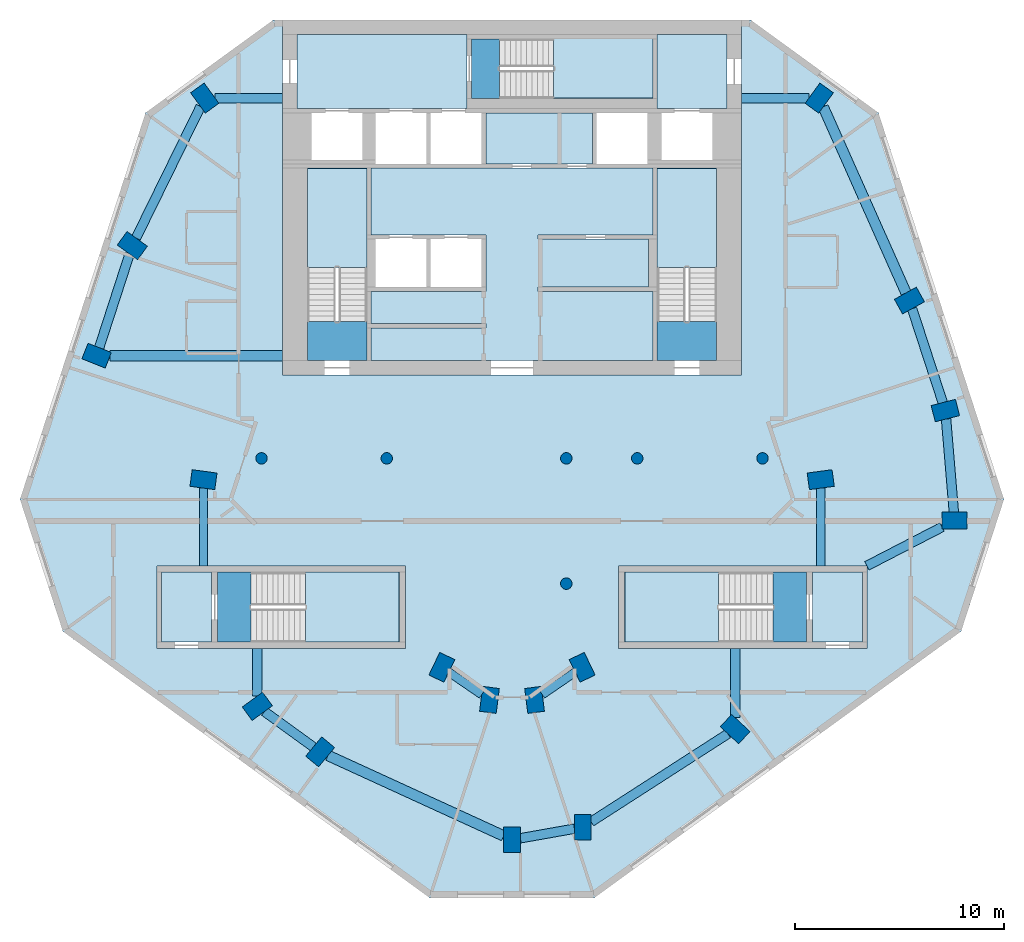
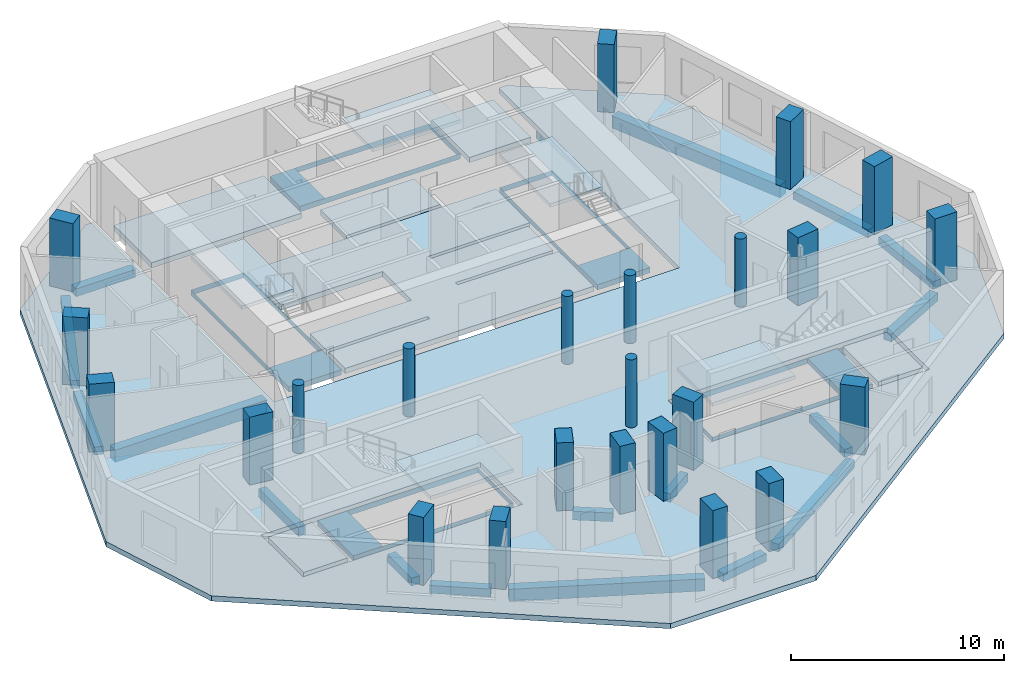
# One storey, part 1 of 8: 24 columns, 19 beams, 17 slabs, 5 elements without a shape of their own.
"""IFC4 building model written with IfcOpenShell, lengths in metres."""

from ifc_helpers import new_model, si_unit, direction, frame, origin, origin_2d, place, context, subcontext, project, spatial, polyline, rectangle, circle, outline, extrude, material, layer, layer_set, material_profile, profile_set, type_object, element, aggregate, save


model = new_model("IFC4")

# Units and contexts
model_context = context("Model", 3, precision=1e-05, world=origin(), true_north=direction((0.0, 1.0)))
body_context = subcontext(model_context, "Body", "Model", "MODEL_VIEW")
ifc_project = project(units=[si_unit("LENGTHUNIT", "METRE"), si_unit("AREAUNIT", "SQUARE_METRE"), si_unit("VOLUMEUNIT", "CUBIC_METRE"), si_unit("PLANEANGLEUNIT", "RADIAN"), si_unit("MASSUNIT", "GRAM", prefix="KILO")], contexts=[model_context])

# Site, building, storey
site_placement = place(None, origin())
site = spatial("IfcSite", under=ifc_project, at=site_placement, CompositionType="ELEMENT")
building_placement = place(site_placement, origin())
building = spatial("IfcBuilding", under=site, at=building_placement, Name="White Candle Pilgrim Tower", CompositionType="ELEMENT")
storey_placement = place(building_placement, frame((0.0, 0.0, 263.89990234375)))
storey = spatial("IfcBuildingStorey", under=building, at=storey_placement, Name="L62", CompositionType="ELEMENT", Elevation=263.89990234375)

# Columns
ifc_material_1 = material(Name="Concrete C60/75", Category="concrete")
ifc_material_profile_1 = material_profile(ifc_material_1, circle(Radius=0.27490234375, at=origin_2d()), Name="RC-COL D550")
ifc_profile_set_1 = profile_set([ifc_material_profile_1], Name="Concrete C60/75")
column_type_1 = type_object("IfcColumnType", Name="Interior column RC-COL D550 C60/75", PredefinedType="COLUMN", material=ifc_profile_set_1)
for number, where, z_axis, x_axis, name in (
    (1, (58.0, 67.0, 0.0), (0.0, 0.0, 1.0), (1.0, 0.0, 0.0), "L62 column I01"),
    (2, (64.0, 67.0, 0.0), (0.0, 0.0, 1.0), (1.0, 0.0, 0.0), "L62 column I02"),
    (3, (72.60009765625, 61.0, 0.0), (0.0, 0.0, 1.0), (1.0, 0.0, 0.0), "L62 column I03"),
    (4, (72.60009765625, 67.0, 0.0), (0.0, 0.0, 1.0), (1.0, 0.0, 0.0), "L62 column I04"),
    (5, (76.0, 67.0, 0.0), (0.0, 0.0, 1.0), (1.0, 0.0, 0.0), "L62 column I05"),
    (6, (82.0, 67.0, 0.0), (0.0, 0.0, 1.0), (1.0, 0.0, 0.0), "L62 column I06"),
):
    element("IfcColumn", number, at=place(storey_placement, frame(where, z_axis=z_axis, x_axis=x_axis)), inside=storey, type_object=column_type_1, Name=name, PredefinedType="COLUMN", context=body_context, shape_type="SweptSolid", body=[
        extrude(circle(Radius=0.27490234375, at=origin_2d()), origin(), (0.0, 0.0, 1.0), 3.900146484375),
    ])
ifc_material_profile_2 = material_profile(ifc_material_1, rectangle(XDim=0.800048828125, YDim=1.199951171875, at=origin_2d()), Name="RC-PR 800x1200")
ifc_profile_set_2 = profile_set([ifc_material_profile_2], Name="Concrete C60/75")
column_type_2 = type_object("IfcColumnType", Name="Perimeter column RC-PR 800x1200 C60/75", PredefinedType="COLUMN", material=ifc_profile_set_2)
for number, where, z_axis, x_axis, name in (
    (7, (57.800048828125, 55.1201171875, 0.0), (0.0, 0.0, 1.0), (-0.58846280644, 0.808524288711, 0.0), "L62 column T01"),
    (8, (60.81005859375, 52.93994140625, 0.0), (0.0, 0.0, 1.0), (-0.769310358735, 0.638875239733, 0.0), "L62 column T02"),
    (9, (70.0, 48.72998046875, 0.0), (0.0, 0.0, 1.0), (-1.0, 0.0, 0.0), "L62 column T03"),
    (10, (73.389892578125, 49.330078125, 0.0), (0.0, 0.0, 1.0), (-1.0, 0.0, 0.0), "L62 column T04"),
    (11, (80.68994140625, 54.030029296875, 0.0), (0.0, 0.0, 1.0), (-0.681998360062, -0.731353701619, 0.0), "L62 column T05"),
    (12, (91.199951171875, 64.02001953125, 0.0), (0.0, 0.0, 1.0), (0.000855211229, -0.999999634307, 0.0), "L62 column T06"),
    (13, (90.760009765625, 69.2900390625, 0.0), (0.0, 0.0, 1.0), (0.246880623275, -0.969045900797, 0.0), "L62 column T07"),
    (14, (89.0400390625, 74.56005859375, 0.0), (0.0, 0.0, 1.0), (0.484809620246, -0.874619707139, 0.0), "L62 column T08"),
    (15, (84.719970703125, 84.260009765625, 0.0), (0.0, 0.0, 1.0), (0.80902725304, -0.587771132193, 0.0), "L62 column T09"),
    (16, (55.280029296875, 84.260009765625, 0.0), (0.0, 0.0, 1.0), (0.80902725304, 0.587771132193, 0.0), "L62 column T10"),
    (17, (51.81005859375, 77.18994140625, 0.0), (0.0, 0.0, 1.0), (0.587107285614, 0.809509132239, 0.0), "L62 column T11"),
    (18, (50.10009765625, 71.919921875, 0.0), (0.0, 0.0, 1.0), (0.369860269472, 0.929087391512, 0.0), "L62 column T12"),
):
    element("IfcColumn", number, at=place(storey_placement, frame(where, z_axis=z_axis, x_axis=x_axis)), inside=storey, type_object=column_type_2, Name=name, PredefinedType="COLUMN", context=body_context, shape_type="SweptSolid", body=[
        extrude(rectangle(XDim=0.800048828125, YDim=1.199951171875, at=origin_2d()), origin(), (0.0, 0.0, 1.0), 3.900146484375),
    ])
ifc_material_profile_3 = material_profile(ifc_material_1, rectangle(XDim=0.800048828125, YDim=1.199951171875, at=origin_2d()), Name="RC-PR 800x1200")
ifc_profile_set_3 = profile_set([ifc_material_profile_3], Name="Concrete C60/75")
column_type_3 = type_object("IfcColumnType", Name="Ring column RC-PR 800x1200 C60/75", PredefinedType="COLUMN", material=ifc_profile_set_3)
for number, where, z_axis, x_axis, name in (
    (19, (66.639892578125, 56.989990234375, 0.0), (0.0, 0.0, 1.0), (-0.901689191761, 0.43238478403, 0.0), "L62 column R01"),
    (20, (68.919921875, 55.429931640625, 0.0), (0.0, 0.0, 1.0), (-0.992092811428, 0.125506388335, 0.0), "L62 column R02"),
    (21, (71.080078125, 55.429931640625, 0.0), (0.0, 0.0, 1.0), (-0.992092811428, -0.125506388335, 0.0), "L62 column R03"),
    (22, (73.360107421875, 56.989990234375, 0.0), (0.0, 0.0, 1.0), (-0.901689191761, -0.43238478403, 0.0), "L62 column R04"),
    (23, (84.7900390625, 65.97998046875, 0.0), (0.0, 0.0, 1.0), (0.132602381688, -0.991169313675, 0.0), "L62 column R05"),
    (24, (55.219970703125, 65.97998046875, 0.0), (0.0, 0.0, 1.0), (0.132602381688, 0.991169313675, 0.0), "L62 column R06"),
):
    element("IfcColumn", number, at=place(storey_placement, frame(where, z_axis=z_axis, x_axis=x_axis)), inside=storey, type_object=column_type_3, Name=name, PredefinedType="COLUMN", context=body_context, shape_type="SweptSolid", body=[
        extrude(rectangle(XDim=0.800048828125, YDim=1.199951171875, at=origin_2d()), origin(), (0.0, 0.0, 1.0), 3.900146484375),
    ])

# Beams
ifc_material_2 = material(Name="Concrete C50/60", Category="concrete")
ifc_material_profile_4 = material_profile(ifc_material_2, rectangle(XDim=0.39990234375, YDim=0.5, at=origin_2d()), Name="RC-BM 400x500")
ifc_profile_set_4 = profile_set([ifc_material_profile_4], Name="Concrete C50/60")
beam_type_1 = type_object("IfcBeamType", Name="Ring beam RC-BM 400x500 C50/60", PredefinedType="BEAM", material=ifc_profile_set_4)
for number, where, z_axis, x_axis, name in (
    (25, (66.97412109375, 56.761474609375, -0.5498046875), (0.825257044892, -0.564757301729, 0.0), (0.564757301729, 0.825257044892, 0.0), "L62 ring beam R01"),
    (26, (71.451171875, 55.683837890625, -0.5498046875), (0.825257044892, 0.564757301729, 0.0), (-0.564757301729, 0.825257044892, 0.0), "L62 ring beam R02"),
):
    element("IfcBeam", number, at=place(storey_placement, frame(where, z_axis=z_axis, x_axis=x_axis)), inside=storey, type_object=beam_type_1, Name=name, PredefinedType="BEAM", context=body_context, shape_type="SweptSolid", body=[
        extrude(rectangle(XDim=0.39990234375, YDim=0.5, at=origin_2d()), origin(), (0.0, 0.0, 1.0), 1.908203125),
    ])
for number, where, z_axis, x_axis, name in (
    (27, (84.7900390625, 65.576416015625, -0.5498046875), (0.0, -1.0, 0.0), (1.0, 0.0, 0.0), "L62 ring beam R03"),
    (28, (55.219970703125, 65.576416015625, -0.5498046875), (0.0, -1.0, 0.0), (1.0, 0.0, 0.0), "L62 ring beam R04"),
):
    element("IfcBeam", number, at=place(storey_placement, frame(where, z_axis=z_axis, x_axis=x_axis)), inside=storey, type_object=beam_type_1, Name=name, PredefinedType="BEAM", context=body_context, shape_type="SweptSolid", body=[
        extrude(rectangle(XDim=0.39990234375, YDim=0.5, at=origin_2d()), origin(), (0.0, 0.0, 1.0), 3.726318359375),
    ])
ifc_material_profile_5 = material_profile(ifc_material_2, rectangle(XDim=0.449951171875, YDim=0.449951171875, at=origin_2d()), Name="RC-BM 450x450")
ifc_profile_set_5 = profile_set([ifc_material_profile_5], Name="Concrete C50/60")
beam_type_2 = type_object("IfcBeamType", Name="Spandrel beam RC-BM 450x450 C50/60", PredefinedType="BEAM", material=ifc_profile_set_5)
beam_1_placement = place(storey_placement, frame((58.140625, 54.873291015625, -0.52490234375), z_axis=(0.809886863982, -0.586586112647, 0.0), x_axis=(0.586586112647, 0.809886863982, 0.0)))
element("IfcBeam", 29, at=beam_1_placement, inside=storey, type_object=beam_type_2, Name="L62 spandrel beam T01", PredefinedType="BEAM", context=body_context, shape_type="SweptSolid", body=[
    extrude(rectangle(XDim=0.449951171875, YDim=0.449951171875, at=origin_2d()), origin(), (0.0, 0.0, 1.0), 2.89501953125),
])
beam_2_placement = place(storey_placement, frame((70.39990234375, 48.80078125, -0.52490234375), z_axis=(0.984690914207, 0.174309504843, 0.0), x_axis=(-0.174309504843, 0.984690914207, 0.0)))
element("IfcBeam", 30, at=beam_2_placement, inside=storey, type_object=beam_type_2, Name="L62 spandrel beam T03", PredefinedType="BEAM", context=body_context, shape_type="SweptSolid", body=[
    extrude(rectangle(XDim=0.449951171875, YDim=0.449951171875, at=origin_2d()), origin(), (0.0, 0.0, 1.0), 2.63037109375),
])
beam_3_placement = place(storey_placement, frame((73.7900390625, 49.58740234375, -0.52490234375), z_axis=(0.840792523654, 0.541357490175, 0.0), x_axis=(-0.541357490175, 0.840792523654, 0.0)))
element("IfcBeam", 31, at=beam_3_placement, inside=storey, type_object=beam_type_2, Name="L62 spandrel beam T04", PredefinedType="BEAM", context=body_context, shape_type="SweptSolid", body=[
    extrude(rectangle(XDim=0.449951171875, YDim=0.449951171875, at=origin_2d()), origin(), (0.0, 0.0, 1.0), 7.793701171875),
])
beam_4_placement = place(storey_placement, frame((80.68994140625, 54.576904296875, -0.52490234375), z_axis=(0.0, 1.0, 0.0), x_axis=(-1.0, 0.0, 0.0)))
element("IfcBeam", 32, at=beam_4_placement, inside=storey, type_object=beam_type_2, Name="L62 spandrel beam T05", PredefinedType="BEAM", context=body_context, shape_type="SweptSolid", body=[
    extrude(rectangle(XDim=0.449951171875, YDim=0.449951171875, at=origin_2d()), origin(), (0.0, 0.0, 1.0), 3.322998046875),
])
beam_5_placement = place(storey_placement, frame((90.600341796875, 63.710205078125, -0.52490234375), z_axis=(-0.888432867753, -0.459006578925, 0.0), x_axis=(0.459006578925, -0.888432867753, 0.0)))
element("IfcBeam", 33, at=beam_5_placement, inside=storey, type_object=beam_type_2, Name="L62 spandrel beam T06", PredefinedType="BEAM", context=body_context, shape_type="SweptSolid", body=[
    extrude(rectangle(XDim=0.449951171875, YDim=0.449951171875, at=origin_2d()), origin(), (0.0, 0.0, 1.0), 4.052490234375),
])
beam_6_placement = place(storey_placement, frame((91.16650390625, 64.419921875, -0.52490234375), z_axis=(-0.083189754962, 0.996533724803, 0.0), x_axis=(-0.996533724803, -0.083189754962, 0.0)))
element("IfcBeam", 34, at=beam_6_placement, inside=storey, type_object=beam_type_2, Name="L62 spandrel beam T07", PredefinedType="BEAM", context=body_context, shape_type="SweptSolid", body=[
    extrude(rectangle(XDim=0.449951171875, YDim=0.449951171875, at=origin_2d()), origin(), (0.0, 0.0, 1.0), 4.4814453125),
])
beam_7_placement = place(storey_placement, frame((90.635498046875, 69.671142578125, -0.52490234375), z_axis=(-0.310235376741, 0.950659776691, 0.0), x_axis=(-0.950659776691, -0.310235376741, 0.0)))
element("IfcBeam", 35, at=beam_7_placement, inside=storey, type_object=beam_type_2, Name="L62 spandrel beam T08", PredefinedType="BEAM", context=body_context, shape_type="SweptSolid", body=[
    extrude(rectangle(XDim=0.449951171875, YDim=0.449951171875, at=origin_2d()), origin(), (0.0, 0.0, 1.0), 4.735107421875),
])
for number, where, z_axis, x_axis, name in (
    (36, (84.2255859375, 84.260009765625, -0.52490234375), (-1.0, 0.0, 0.0), (0.0, -1.0, 0.0), "L62 spandrel beam T10"),
    (37, (55.7744140625, 84.260009765625, -0.52490234375), (1.0, 0.0, 0.0), (0.0, 1.0, 0.0), "L62 spandrel beam T11"),
):
    element("IfcBeam", number, at=place(storey_placement, frame(where, z_axis=z_axis, x_axis=x_axis)), inside=storey, type_object=beam_type_2, Name=name, PredefinedType="BEAM", context=body_context, shape_type="SweptSolid", body=[
        extrude(rectangle(XDim=0.449951171875, YDim=0.449951171875, at=origin_2d()), origin(), (0.0, 0.0, 1.0), 3.2255859375),
    ])
beam_8_placement = place(storey_placement, frame((55.080810546875, 83.853759765625, -0.52490234375), z_axis=(-0.440604884501, -0.897701139441, 0.0), x_axis=(0.897701139441, -0.440604884501, 0.0)))
element("IfcBeam", 38, at=beam_8_placement, inside=storey, type_object=beam_type_2, Name="L62 spandrel beam T12", PredefinedType="BEAM", context=body_context, shape_type="SweptSolid", body=[
    extrude(rectangle(XDim=0.449951171875, YDim=0.449951171875, at=origin_2d()), origin(), (0.0, 0.0, 1.0), 7.01708984375),
])
beam_9_placement = place(storey_placement, frame((51.68017578125, 76.7900390625, -0.52490234375), z_axis=(-0.308643859688, -0.95117767419, 0.0), x_axis=(0.95117767419, -0.308643859688, 0.0)))
element("IfcBeam", 39, at=beam_9_placement, inside=storey, type_object=beam_type_2, Name="L62 spandrel beam T13", PredefinedType="BEAM", context=body_context, shape_type="SweptSolid", body=[
    extrude(rectangle(XDim=0.449951171875, YDim=0.449951171875, at=origin_2d()), origin(), (0.0, 0.0, 1.0), 4.71923828125),
])
beam_10_placement = place(storey_placement, frame((57.800048828125, 55.61474609375, -0.52490234375), z_axis=(0.0, 1.0, 0.0), x_axis=(-1.0, 0.0, 0.0)))
element("IfcBeam", 40, at=beam_10_placement, inside=storey, type_object=beam_type_2, Name="L62 spandrel beam T15", PredefinedType="BEAM", context=body_context, shape_type="SweptSolid", body=[
    extrude(rectangle(XDim=0.449951171875, YDim=0.449951171875, at=origin_2d()), origin(), (0.0, 0.0, 1.0), 2.28515625),
])
ifc_material_profile_6 = material_profile(ifc_material_2, rectangle(XDim=0.5, YDim=0.699951171875, at=origin_2d()), Name="RC-BM 500x700")
ifc_profile_set_6 = profile_set([ifc_material_profile_6], Name="Concrete C50/60")
beam_type_3 = type_object("IfcBeamType", Name="Spandrel beam RC-BM 500x700 C50/60", PredefinedType="BEAM", material=ifc_profile_set_6)
beam_11_placement = place(storey_placement, frame((61.186767578125, 52.767578125, -0.64990234375), z_axis=(0.90913101106, -0.416510269656, 0.0), x_axis=(0.416510269656, 0.90913101106, 0.0)))
element("IfcBeam", 41, at=beam_11_placement, inside=storey, type_object=beam_type_3, Name="L62 spandrel beam T02", PredefinedType="BEAM", context=body_context, shape_type="SweptSolid", body=[
    extrude(rectangle(XDim=0.5, YDim=0.699951171875, at=origin_2d()), origin(), (0.0, 0.0, 1.0), 9.254150390625),
])
beam_12_placement = place(storey_placement, frame((88.876708984375, 74.9267578125, -0.64990234375), z_axis=(-0.406834969126, 0.913501673724, 0.0), x_axis=(-0.913501673724, -0.406834969126, 0.0)))
element("IfcBeam", 42, at=beam_12_placement, inside=storey, type_object=beam_type_3, Name="L62 spandrel beam T09", PredefinedType="BEAM", context=body_context, shape_type="SweptSolid", body=[
    extrude(rectangle(XDim=0.5, YDim=0.699951171875, at=origin_2d()), origin(), (0.0, 0.0, 1.0), 9.755126953125),
])
beam_13_placement = place(storey_placement, frame((50.745849609375, 71.919921875, -0.64990234375), z_axis=(1.0, 0.0, 0.0), x_axis=(0.0, 1.0, 0.0)))
element("IfcBeam", 43, at=beam_13_placement, inside=storey, type_object=beam_type_3, Name="L62 spandrel beam T14", PredefinedType="BEAM", context=body_context, shape_type="SweptSolid", body=[
    extrude(rectangle(XDim=0.5, YDim=0.699951171875, at=origin_2d()), origin(), (0.0, 0.0, 1.0), 8.254150390625),
])

# Slabs
ifc_material_3 = material(Name="Concrete C40/50", Category="concrete")
ifc_layer_1 = layer(ifc_material_3, 0.300048828125)
ifc_layer_set_1 = layer_set([ifc_layer_1], Name="Core floor slab 300 mm Concrete C40/50")
slab_type_1 = type_object("IfcSlabType", Name="Core floor slab 300 mm Concrete C40/50", PredefinedType="FLOOR", material=ifc_layer_set_1)
slab_1_placement = place(storey_placement, frame((0.0, 0.0, -0.2998046875)))
element("IfcSlab", 44, at=slab_1_placement, inside=storey, type_object=slab_type_1, Name="CF-L62-01", PredefinedType="FLOOR", context=body_context, shape_type="SweptSolid", body=[
    extrude(outline(polyline([(55.60009765625, 58.199951171875), (53.199951171875, 58.199951171875), (53.199951171875, 61.550048828125), (55.60009765625, 61.550048828125), (55.60009765625, 58.199951171875)])), origin(), (0.0, 0.0, 1.0), 0.2998046875),
])
slab_2_placement = place(storey_placement, frame((0.0, 0.0, -0.2998046875)))
element("IfcSlab", 45, at=slab_2_placement, inside=storey, type_object=slab_type_1, Name="CF-L62-02", PredefinedType="FLOOR", context=body_context, shape_type="SweptSolid", body=[
    extrude(outline(polyline([(55.89990234375, 58.199951171875), (55.89990234375, 61.550048828125), (64.60009765625, 61.550048828125), (64.60009765625, 58.199951171875), (55.89990234375, 58.199951171875)]), holes=[polyline([(57.501953125, 61.548095703125), (57.501953125, 58.201904296875), (64.597900390625, 58.201904296875), (64.597900390625, 61.548095703125), (57.501953125, 61.548095703125)])]), origin(), (0.0, 0.0, 1.0), 0.2998046875),
])
slab_3_placement = place(storey_placement, frame((0.0, 0.0, -0.2998046875)))
element("IfcSlab", 46, at=slab_3_placement, inside=storey, type_object=slab_type_1, Name="CF-L62-03", PredefinedType="FLOOR", context=body_context, shape_type="SweptSolid", body=[
    extrude(outline(polyline([(75.39990234375, 58.199951171875), (75.39990234375, 61.550048828125), (84.10009765625, 61.550048828125), (84.10009765625, 58.199951171875), (75.39990234375, 58.199951171875)]), holes=[polyline([(82.498046875, 61.548095703125), (75.402099609375, 61.548095703125), (75.402099609375, 58.201904296875), (82.498046875, 58.201904296875), (82.498046875, 61.548095703125)])]), origin(), (0.0, 0.0, 1.0), 0.2998046875),
])
slab_4_placement = place(storey_placement, frame((0.0, 0.0, -0.2998046875)))
element("IfcSlab", 47, at=slab_4_placement, inside=storey, type_object=slab_type_1, Name="CF-L62-04", PredefinedType="FLOOR", context=body_context, shape_type="SweptSolid", body=[
    extrude(outline(polyline([(86.800048828125, 58.199951171875), (84.39990234375, 58.199951171875), (84.39990234375, 61.550048828125), (86.800048828125, 61.550048828125), (86.800048828125, 58.199951171875)])), origin(), (0.0, 0.0, 1.0), 0.2998046875),
])
slab_5_placement = place(storey_placement, frame((0.0, 0.0, -0.2998046875)))
element("IfcSlab", 48, at=slab_5_placement, inside=storey, type_object=slab_type_1, Name="CF-L62-05", PredefinedType="FLOOR", context=body_context, shape_type="SweptSolid", body=[
    extrude(outline(polyline([(76.949951171875, 71.699951171875), (76.949951171875, 75.0), (76.949951171875, 75.199951171875), (76.949951171875, 77.5), (76.949951171875, 77.699951171875), (76.949951171875, 80.89990234375), (79.800048828125, 80.89990234375), (79.800048828125, 71.699951171875), (76.949951171875, 71.699951171875)]), holes=[polyline([(76.951904296875, 73.552001953125), (79.798095703125, 73.552001953125), (79.798095703125, 80.89794921875), (76.951904296875, 80.89794921875), (76.951904296875, 73.552001953125)])]), origin(), (0.0, 0.0, 1.0), 0.2998046875),
])
slab_6_placement = place(storey_placement, frame((0.0, 0.0, -0.2998046875)))
element("IfcSlab", 49, at=slab_6_placement, inside=storey, type_object=slab_type_1, Name="CF-L62-06", PredefinedType="FLOOR", context=body_context, shape_type="SweptSolid", body=[
    extrude(outline(polyline([(63.25, 71.699951171875), (63.25, 73.25), (68.75, 73.25), (68.75, 73.449951171875), (63.25, 73.449951171875), (63.25, 75.0), (68.75, 75.0), (68.75, 75.199951171875), (68.75, 77.5), (68.75, 77.699951171875), (63.25, 77.699951171875), (63.25, 80.89990234375), (76.75, 80.89990234375), (76.75, 77.699951171875), (71.25, 77.699951171875), (71.25, 77.5), (76.550048828125, 77.5), (76.550048828125, 75.199951171875), (71.25, 75.199951171875), (71.25, 75.0), (76.75, 75.0), (76.75, 71.699951171875), (63.25, 71.699951171875)])), origin(), (0.0, 0.0, 1.0), 0.2998046875),
])
slab_7_placement = place(storey_placement, frame((0.0, 0.0, -0.2998046875)))
element("IfcSlab", 50, at=slab_7_placement, inside=storey, type_object=slab_type_1, Name="CF-L62-07", PredefinedType="FLOOR", context=body_context, shape_type="SweptSolid", body=[
    extrude(outline(polyline([(60.199951171875, 71.699951171875), (60.199951171875, 80.89990234375), (63.050048828125, 80.89990234375), (63.050048828125, 77.699951171875), (63.050048828125, 77.5), (63.050048828125, 75.199951171875), (63.050048828125, 75.0), (63.050048828125, 73.449951171875), (63.050048828125, 73.25), (63.050048828125, 71.699951171875), (60.199951171875, 71.699951171875)]), holes=[polyline([(60.201904296875, 73.552001953125), (63.048095703125, 73.552001953125), (63.048095703125, 80.89794921875), (60.201904296875, 80.89794921875), (60.201904296875, 73.552001953125)])]), origin(), (0.0, 0.0, 1.0), 0.2998046875),
])
slab_8_placement = place(storey_placement, frame((0.0, 0.0, -0.2998046875)))
element("IfcSlab", 51, at=slab_8_placement, inside=storey, type_object=slab_type_1, Name="CF-L62-08", PredefinedType="FLOOR", context=body_context, shape_type="SweptSolid", body=[
    extrude(outline(polyline([(59.699951171875, 87.300048828125), (67.85009765625, 87.300048828125), (67.85009765625, 87.10009765625), (67.85009765625, 84.25), (67.85009765625, 83.75), (59.699951171875, 83.75), (59.699951171875, 87.300048828125)])), origin(), (0.0, 0.0, 1.0), 0.2998046875),
])
slab_9_placement = place(storey_placement, frame((0.0, 0.0, -0.2998046875)))
element("IfcSlab", 52, at=slab_9_placement, inside=storey, type_object=slab_type_1, Name="CF-L62-09", PredefinedType="FLOOR", context=body_context, shape_type="SweptSolid", body=[
    extrude(outline(polyline([(80.300048828125, 87.300048828125), (80.300048828125, 83.75), (76.949951171875, 83.75), (76.949951171875, 84.25), (76.949951171875, 87.10009765625), (76.949951171875, 87.300048828125), (80.300048828125, 87.300048828125)])), origin(), (0.0, 0.0, 1.0), 0.2998046875),
])
slab_10_placement = place(storey_placement, frame((0.0, 0.0, -0.2998046875)))
element("IfcSlab", 53, at=slab_10_placement, inside=storey, type_object=slab_type_1, Name="CF-L62-10", PredefinedType="FLOOR", context=body_context, shape_type="SweptSolid", body=[
    extrude(outline(polyline([(68.75, 81.10009765625), (68.75, 83.550048828125), (73.85009765625, 83.550048828125), (73.85009765625, 81.10009765625), (68.75, 81.10009765625)])), origin(), (0.0, 0.0, 1.0), 0.2998046875),
])
slab_11_placement = place(storey_placement, frame((0.0, 0.0, -0.2998046875)))
element("IfcSlab", 54, at=slab_11_placement, inside=storey, type_object=slab_type_1, Name="CF-L62-11", PredefinedType="FLOOR", context=body_context, shape_type="SweptSolid", body=[
    extrude(outline(polyline([(68.050048828125, 87.10009765625), (76.75, 87.10009765625), (76.75, 84.25), (68.050048828125, 84.25), (68.050048828125, 87.10009765625)]), holes=[polyline([(69.402099609375, 84.251953125), (76.748046875, 84.251953125), (76.748046875, 87.097900390625), (69.402099609375, 87.097900390625), (69.402099609375, 84.251953125)])]), origin(), (0.0, 0.0, 1.0), 0.2998046875),
])
ifc_layer_2 = layer(ifc_material_3, 0.300048828125)
ifc_layer_set_2 = layer_set([ifc_layer_2], Name="Floor slab 300 REI 120")
slab_type_2 = type_object("IfcSlabType", Name="Floor slab 300 REI 120", PredefinedType="FLOOR", material=ifc_layer_set_2)
slab_12_placement = place(storey_placement, frame((0.0, 0.0, -0.2998046875)))
element("IfcSlab", 55, at=slab_12_placement, inside=storey, type_object=slab_type_2, Name="L62 floor slab", PredefinedType="FLOOR", context=body_context, shape_type="SweptSolid", body=[
    extrude(outline(polyline([(66.0537109375, 45.94921875), (73.9462890625, 45.94921875), (91.51416015625, 58.712890625), (93.569091796875, 65.03759765625), (87.5517578125, 83.557373046875), (81.43701171875, 88.0), (81.0, 88.0), (81.0, 71.0), (59.0, 71.0), (59.0, 88.0), (58.56298828125, 88.0), (52.4482421875, 83.557373046875), (46.430908203125, 65.03759765625), (48.48583984375, 58.712890625), (66.0537109375, 45.94921875)]), holes=[polyline([(53.0, 57.89990234375), (53.0, 61.85009765625), (64.89990234375, 61.85009765625), (64.89990234375, 57.89990234375), (53.0, 57.89990234375)]), polyline([(75.10009765625, 57.89990234375), (75.10009765625, 61.85009765625), (87.0, 61.85009765625), (87.0, 57.89990234375), (75.10009765625, 57.89990234375)])]), origin(), (0.0, 0.0, 1.0), 0.2998046875),
])

# Stair, slab
stair_type_1 = type_object("IfcStairType", Name="Exit stair 1 flight width 1350 mm", PredefinedType="HALF_TURN_STAIR", material=ifc_material_3)
stair_1_placement = place(storey_placement, origin())
stair_1 = element("IfcStair", 56, at=stair_1_placement, inside=storey, type_object=stair_type_1, Name="L62 stair 1", PredefinedType="NOTDEFINED")
ifc_layer_3 = layer(ifc_material_3, 0.199951171875)
ifc_layer_set_3 = layer_set([ifc_layer_3], Name="Stair landing Concrete C40/50")
slab_type_3 = type_object("IfcSlabType", Name="Stair landing Concrete C40/50", PredefinedType="LANDING", material=ifc_layer_set_3)
slab_13_placement = place(storey_placement, frame((0.0, 0.0, 1.75)))
slab_13 = element("IfcSlab", 57, at=slab_13_placement, type_object=slab_type_3, Name="ST1 landing 1", PredefinedType="LANDING", context=body_context, shape_type="SweptSolid", body=[
    extrude(outline(polyline([(63.052001953125, 76.14794921875), (60.197998046875, 76.14794921875), (60.197998046875, 80.902099609375), (63.052001953125, 80.902099609375), (63.052001953125, 76.14794921875)])), origin(), (0.0, 0.0, 1.0), 0.2001953125),
])
aggregate(stair_1, [slab_13])

stair_type_2 = type_object("IfcStairType", Name="Exit stair 2 flight width 1350 mm", PredefinedType="HALF_TURN_STAIR", material=ifc_material_3)
stair_2_placement = place(storey_placement, origin())
stair_2 = element("IfcStair", 58, at=stair_2_placement, inside=storey, type_object=stair_type_2, Name="L62 stair 2", PredefinedType="NOTDEFINED")
slab_14_placement = place(storey_placement, frame((0.0, 0.0, 1.75)))
slab_14 = element("IfcSlab", 59, at=slab_14_placement, type_object=slab_type_3, Name="ST2 landing 1", PredefinedType="LANDING", context=body_context, shape_type="SweptSolid", body=[
    extrude(outline(polyline([(79.802001953125, 76.14794921875), (76.947998046875, 76.14794921875), (76.947998046875, 80.902099609375), (79.802001953125, 80.902099609375), (79.802001953125, 76.14794921875)])), origin(), (0.0, 0.0, 1.0), 0.2001953125),
])
aggregate(stair_2, [slab_14])

stair_type_3 = type_object("IfcStairType", Name="Exit stair 3 flight width 1350 mm", PredefinedType="HALF_TURN_STAIR", material=ifc_material_3)
stair_3_placement = place(storey_placement, origin())
stair_3 = element("IfcStair", 60, at=stair_3_placement, inside=storey, type_object=stair_type_3, Name="L62 stair 3", PredefinedType="NOTDEFINED")
slab_15_placement = place(storey_placement, frame((0.0, 0.0, 1.75)))
slab_15 = element("IfcSlab", 61, at=slab_15_placement, type_object=slab_type_3, Name="ST3 landing 1", PredefinedType="LANDING", context=body_context, shape_type="SweptSolid", body=[
    extrude(outline(polyline([(71.998046875, 84.248046875), (71.998046875, 87.10205078125), (76.751953125, 87.10205078125), (76.751953125, 84.248046875), (71.998046875, 84.248046875)])), origin(), (0.0, 0.0, 1.0), 0.2001953125),
])
aggregate(stair_3, [slab_15])

stair_type_4 = type_object("IfcStairType", Name="Exit stair 4 flight width 1600 mm", PredefinedType="HALF_TURN_STAIR", material=ifc_material_3)
stair_4_placement = place(storey_placement, origin())
stair_4 = element("IfcStair", 62, at=stair_4_placement, inside=storey, type_object=stair_type_4, Name="L62 stair 4", PredefinedType="NOTDEFINED")
slab_16_placement = place(storey_placement, frame((0.0, 0.0, 1.75)))
slab_16 = element("IfcSlab", 63, at=slab_16_placement, type_object=slab_type_3, Name="ST4 landing 1", PredefinedType="LANDING", context=body_context, shape_type="SweptSolid", body=[
    extrude(outline(polyline([(79.902099609375, 61.552001953125), (79.902099609375, 58.197998046875), (75.39794921875, 58.197998046875), (75.39794921875, 61.552001953125), (79.902099609375, 61.552001953125)])), origin(), (0.0, 0.0, 1.0), 0.2001953125),
])
aggregate(stair_4, [slab_16])

stair_type_5 = type_object("IfcStairType", Name="Exit stair 5 flight width 1600 mm", PredefinedType="HALF_TURN_STAIR", material=ifc_material_3)
stair_5_placement = place(storey_placement, origin())
stair_5 = element("IfcStair", 64, at=stair_5_placement, inside=storey, type_object=stair_type_5, Name="L62 stair 5", PredefinedType="NOTDEFINED")
slab_17_placement = place(storey_placement, frame((0.0, 0.0, 1.75)))
slab_17 = element("IfcSlab", 65, at=slab_17_placement, type_object=slab_type_3, Name="ST5 landing 1", PredefinedType="LANDING", context=body_context, shape_type="SweptSolid", body=[
    extrude(outline(polyline([(60.097900390625, 58.197998046875), (60.097900390625, 61.552001953125), (64.60205078125, 61.552001953125), (64.60205078125, 58.197998046875), (60.097900390625, 58.197998046875)])), origin(), (0.0, 0.0, 1.0), 0.2001953125),
])
aggregate(stair_5, [slab_17])

save(model, "model.ifc")
